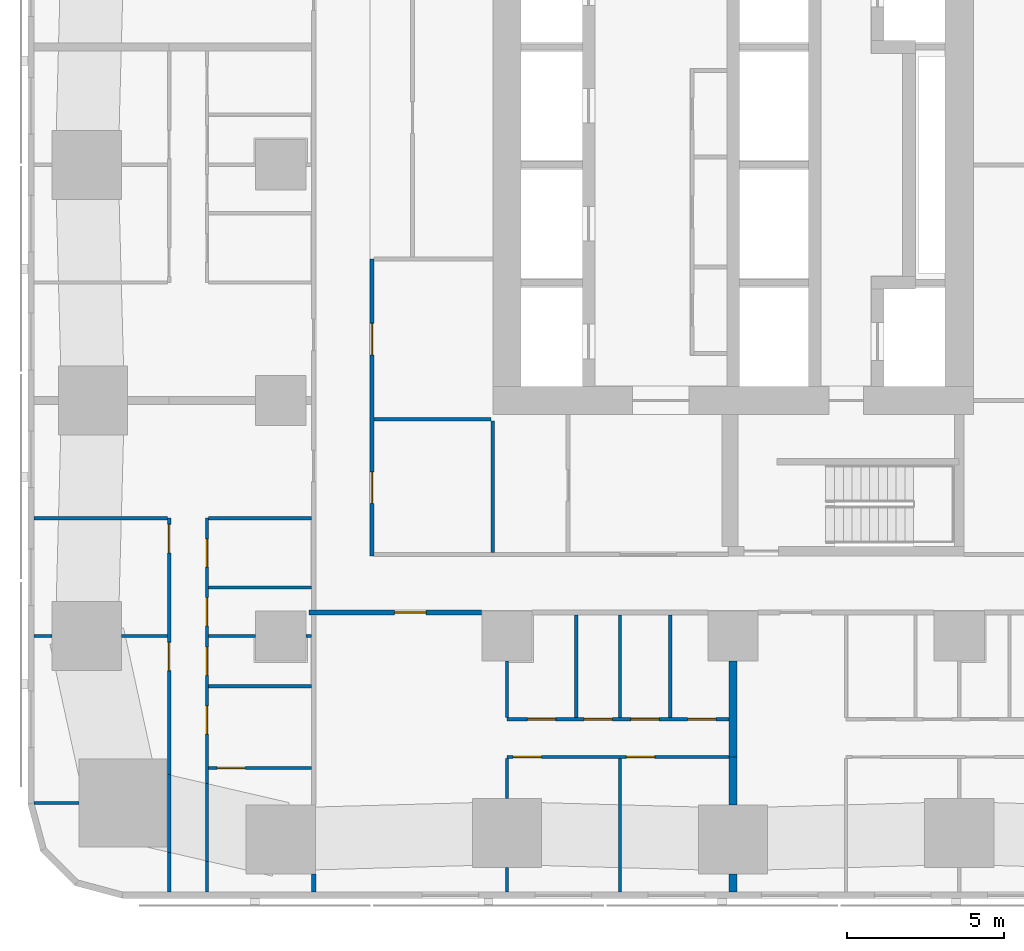
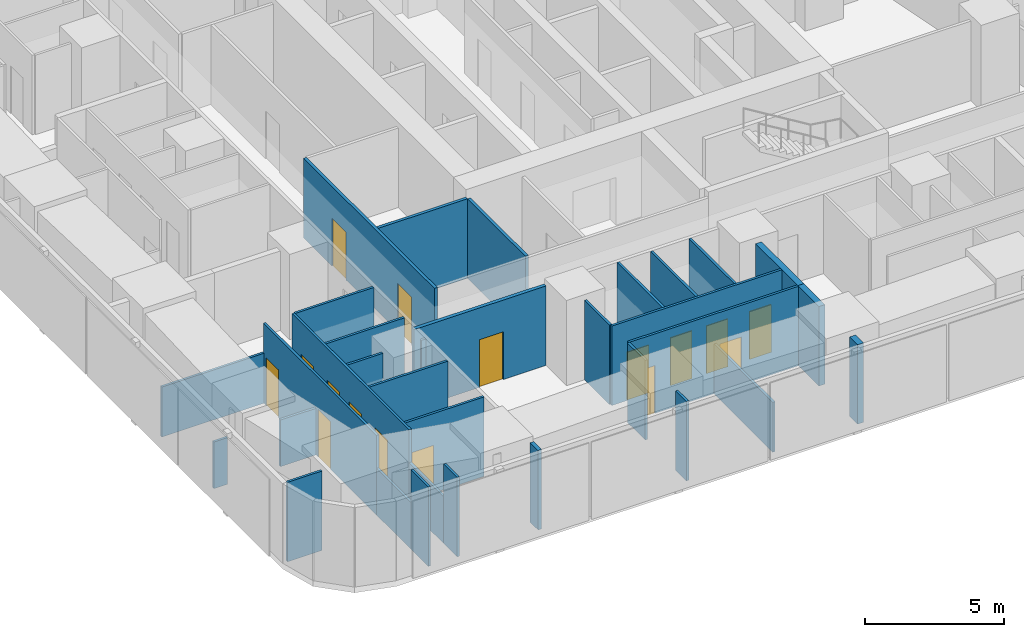
# One storey, part 2 of 15: 33 walls, 16 doors, 16 openings.
"""IFC4 building model written with IfcOpenShell, lengths in metres."""

from ifc_helpers import new_model, si_unit, direction, frame, frame_2d, origin, place, context, subcontext, project, spatial, rectangle, extrude, material, layer, layer_set, type_object, element, fill, save


model = new_model("IFC4")

# Units and contexts
model_context = context("Model", 3, precision=1e-05, world=origin(), true_north=direction((0.0, 1.0)))
body_context = subcontext(model_context, "Body", "Model", "MODEL_VIEW")
ifc_project = project(units=[si_unit("LENGTHUNIT", "METRE"), si_unit("AREAUNIT", "SQUARE_METRE"), si_unit("VOLUMEUNIT", "CUBIC_METRE"), si_unit("PLANEANGLEUNIT", "RADIAN"), si_unit("MASSUNIT", "GRAM", prefix="KILO")], contexts=[model_context])

# Site, building, storey
site_placement = place(None, origin())
site = spatial("IfcSite", under=ifc_project, at=site_placement, CompositionType="ELEMENT")
building_placement = place(site_placement, origin())
building = spatial("IfcBuilding", under=site, at=building_placement, Name="Sheger Commons Tower", CompositionType="ELEMENT")
storey_placement = place(building_placement, frame((0.0, 0.0, 107.89990234375)))
storey = spatial("IfcBuildingStorey", under=building, at=storey_placement, Name="L27", CompositionType="ELEMENT", Elevation=107.89990234375)

# Wall
ifc_material_1 = material(Name="Hollow concrete block masonry, skimmed both sides", Category="masonry")
ifc_layer_1 = layer(ifc_material_1, 0.14990234375)
ifc_layer_set_1 = layer_set([ifc_layer_1], Name="CORRIDOR WALL 150")
wall_type_1 = type_object("IfcWallType", Name="CORRIDOR WALL 150", PredefinedType="SOLIDWALL", material=ifc_layer_set_1)
wall_1_placement = place(storey_placement, frame((8.25, -0.64990234375, 0.0), z_axis=(0.0, 0.0, 1.0), x_axis=(0.0, 1.0, 0.0)))
element("IfcWall", 1, at=wall_1_placement, inside=storey, type_object=wall_type_1, Name="Corridor wall L27", PredefinedType="SOLIDWALL", context=body_context, shape_type="SweptSolid", body=[
    extrude(rectangle(XDim=0.573974609375, YDim=0.14990234375, at=frame_2d((0.287109375, 0.0))), origin(), (0.0, 0.0, 1.0), 3.5),
])

# Wall, opening, door
wall_2_placement = place(storey_placement, frame((13.59912109375, 8.25, 0.0), z_axis=(0.0, 0.0, 1.0), x_axis=(-1.0, 0.0, 0.0)))
wall_2 = element("IfcWall", 2, at=wall_2_placement, inside=storey, type_object=wall_type_1, Name="Corridor wall L27", PredefinedType="SOLIDWALL", context=body_context, shape_type="SweptSolid", body=[
    extrude(rectangle(XDim=5.4990234375, YDim=0.14990234375, at=frame_2d((2.74951171875, 0.0))), origin(), (0.0, 0.0, 1.0), 3.5),
])
opening_1_placement = place(wall_2_placement, frame((1.77392578125, 0.0, 0.0)))
opening_1 = element("IfcOpeningElement", 3, at=opening_1_placement, cuts=wall_2, Name="Opening D1", PredefinedType="OPENING", context=body_context, shape_type="SweptSolid", body=[
    extrude(rectangle(XDim=1.0, YDim=2.10009765625, at=frame_2d((0.5, 1.050048828125))), frame((0.0, 0.0849609375, 0.0), z_axis=(0.0, -1.0, 0.0), x_axis=(1.0, 0.0, 0.0)), (0.0, 0.0, 1.0), 0.169921875),
])
ifc_material_2 = material(Name="Steel door set, fire rated", Category="steel")
door_type_1 = type_object("IfcDoorType", Name="FLAT ENTRANCE DOOR 1000x2100", OperationType="NOTDEFINED", PredefinedType="DOOR", material=ifc_material_2)
door_1_placement = place(opening_1_placement, origin())
door_1 = element("IfcDoor", 4, at=door_1_placement, inside=storey, type_object=door_type_1, Name="Flat entrance door", OperationType="SINGLE_SWING_RIGHT", OverallHeight=2.10009765625, OverallWidth=1.0, PredefinedType="DOOR", context=body_context, shape_type="SweptSolid", body=[
    extrude(rectangle(XDim=1.0, YDim=2.10009765625, at=frame_2d((0.5, 1.050048828125))), frame((0.0, 0.02490234375, 0.0), z_axis=(0.0, -1.0, 0.0), x_axis=(1.0, 0.0, 0.0)), (0.0, 0.0, 1.0), 0.050048828125),
])
fill(opening_1, door_1)

# Walls
ifc_material_3 = material(Name="Dense concrete block masonry, plastered both sides (separating wall between flats)", Category="masonry")
ifc_layer_2 = layer(ifc_material_3, 0.25)
ifc_layer_set_2 = layer_set([ifc_layer_2], Name="DEMISING WALL 250")
wall_type_2 = type_object("IfcWallType", Name="DEMISING WALL 250", PredefinedType="SOLIDWALL", material=ifc_layer_set_2)
wall_3_placement = place(storey_placement, frame((21.60009765625, -0.64990234375, 0.0), z_axis=(0.0, 0.0, 1.0), x_axis=(0.0, 1.0, 0.0)))
element("IfcWall", 5, at=wall_3_placement, inside=storey, type_object=wall_type_2, Name="Demising wall L27", PredefinedType="SOLIDWALL", context=body_context, shape_type="SweptSolid", body=[
    extrude(rectangle(XDim=0.573974609375, YDim=0.25, at=frame_2d((0.287109375, 0.0))), origin(), (0.0, 0.0, 1.0), 3.5),
])
wall_4_placement = place(storey_placement, frame((21.60009765625, 2.1259765625, 0.0), z_axis=(0.0, 0.0, 1.0), x_axis=(0.0, 1.0, 0.0)))
element("IfcWall", 6, at=wall_4_placement, inside=storey, type_object=wall_type_2, Name="Demising wall L27", PredefinedType="SOLIDWALL", context=body_context, shape_type="SweptSolid", body=[
    extrude(rectangle(XDim=1.52392578125, YDim=0.25, at=frame_2d((0.761962890625, 0.0))), origin(), (0.0, 0.0, 1.0), 3.5),
])
wall_5_placement = place(storey_placement, frame((21.60009765625, 3.64990234375, 0.0), z_axis=(0.0, 0.0, 1.0), x_axis=(0.0, 1.0, 0.0)))
element("IfcWall", 7, at=wall_5_placement, inside=storey, type_object=wall_type_2, Name="Demising wall L27", PredefinedType="SOLIDWALL", context=body_context, shape_type="SweptSolid", body=[
    extrude(rectangle(XDim=3.049072265625, YDim=0.25, at=frame_2d((1.5244140625, 0.0))), origin(), (0.0, 0.0, 1.0), 3.5),
])
ifc_material_4 = material(Name="Gypsum board on steel studs", Category="steel")
ifc_layer_3 = layer(ifc_material_4, 0.10009765625)
ifc_layer_set_3 = layer_set([ifc_layer_3], Name="PARTITION 100")
wall_type_3 = type_object("IfcWallType", Name="PARTITION 100", PredefinedType="PARTITIONING", material=ifc_layer_set_3)
wall_6_placement = place(storey_placement, frame((3.64990234375, -0.64990234375, 0.0), z_axis=(0.0, 0.0, 1.0), x_axis=(0.0, 1.0, 0.0)))
element("IfcWall", 8, at=wall_6_placement, inside=storey, type_object=wall_type_3, Name="Partition L27", PredefinedType="PARTITIONING", context=body_context, shape_type="SweptSolid", body=[
    extrude(rectangle(XDim=1.25390625, YDim=0.10009765625, at=frame_2d((0.626953125, 0.0))), origin(), (0.0, 0.0, 1.0), 3.5),
])
wall_7_placement = place(storey_placement, frame((3.64990234375, 0.60400390625, 0.0), z_axis=(0.0, 0.0, 1.0), x_axis=(0.0, 1.0, 0.0)))
element("IfcWall", 9, at=wall_7_placement, inside=storey, type_object=wall_type_3, Name="Partition L27", PredefinedType="PARTITIONING", context=body_context, shape_type="SweptSolid", body=[
    extrude(rectangle(XDim=2.486083984375, YDim=0.10009765625, at=frame_2d((1.2431640625, 0.0))), origin(), (0.0, 0.0, 1.0), 2.050048828125),
])

# Wall, openings, doors
wall_8_placement = place(storey_placement, frame((3.64990234375, 3.090087890625, 0.0), z_axis=(0.0, 0.0, 1.0), x_axis=(0.0, 1.0, 0.0)))
wall_8 = element("IfcWall", 10, at=wall_8_placement, inside=storey, type_object=wall_type_3, Name="Partition L27", PredefinedType="PARTITIONING", context=body_context, shape_type="SweptSolid", body=[
    extrude(rectangle(XDim=8.159912109375, YDim=0.10009765625, at=frame_2d((4.080078125, 0.0))), origin(), (0.0, 0.0, 1.0), 3.5),
])
opening_2_placement = place(wall_8_placement, frame((7.06005859375, 0.0, 0.0)))
opening_2 = element("IfcOpeningElement", 11, at=opening_2_placement, cuts=wall_8, Name="Opening D2", PredefinedType="OPENING", context=body_context, shape_type="SweptSolid", body=[
    extrude(rectangle(XDim=0.89990234375, YDim=2.10009765625, at=frame_2d((0.449951171875, 1.050048828125))), frame((0.0, 0.06005859375, 0.0), z_axis=(0.0, -1.0, 0.0), x_axis=(1.0, 0.0, 0.0)), (0.0, 0.0, 1.0), 0.1201171875),
])
opening_3_placement = place(wall_8_placement, frame((3.31005859375, 0.0, 0.0)))
opening_3 = element("IfcOpeningElement", 12, at=opening_3_placement, cuts=wall_8, Name="Opening D2", PredefinedType="OPENING", context=body_context, shape_type="SweptSolid", body=[
    extrude(rectangle(XDim=0.89990234375, YDim=2.10009765625, at=frame_2d((0.449951171875, 1.050048828125))), frame((0.0, 0.06005859375, 0.0), z_axis=(0.0, -1.0, 0.0), x_axis=(1.0, 0.0, 0.0)), (0.0, 0.0, 1.0), 0.1201171875),
])
ifc_material_5 = material(Name="Timber door set", Category="wood")
door_type_2 = type_object("IfcDoorType", Name="INTERNAL DOOR 900x2100", OperationType="NOTDEFINED", PredefinedType="DOOR", material=ifc_material_5)
door_2_placement = place(opening_2_placement, origin())
door_2 = element("IfcDoor", 13, at=door_2_placement, inside=storey, type_object=door_type_2, Name="Main bedroom door", OperationType="SINGLE_SWING_RIGHT", OverallHeight=2.10009765625, OverallWidth=0.89990234375, PredefinedType="DOOR", context=body_context, shape_type="SweptSolid", body=[
    extrude(rectangle(XDim=0.89990234375, YDim=2.10009765625, at=frame_2d((0.449951171875, 1.050048828125))), frame((0.0, 0.02490234375, 0.0), z_axis=(0.0, -1.0, 0.0), x_axis=(1.0, 0.0, 0.0)), (0.0, 0.0, 1.0), 0.050048828125),
])
fill(opening_2, door_2)
door_3_placement = place(opening_3_placement, origin())
door_3 = element("IfcDoor", 14, at=door_3_placement, inside=storey, type_object=door_type_2, Name="Bedroom 2 door", OperationType="SINGLE_SWING_RIGHT", OverallHeight=2.10009765625, OverallWidth=0.89990234375, PredefinedType="DOOR", context=body_context, shape_type="SweptSolid", body=[
    extrude(rectangle(XDim=0.89990234375, YDim=2.10009765625, at=frame_2d((0.449951171875, 1.050048828125))), frame((0.0, 0.02490234375, 0.0), z_axis=(0.0, -1.0, 0.0), x_axis=(1.0, 0.0, 0.0)), (0.0, 0.0, 1.0), 0.050048828125),
])
fill(opening_3, door_3)

# Walls
wall_9_placement = place(storey_placement, frame((4.85009765625, -0.64990234375, 0.0), z_axis=(0.0, 0.0, 1.0), x_axis=(0.0, 1.0, 0.0)))
element("IfcWall", 15, at=wall_9_placement, inside=storey, type_object=wall_type_3, Name="Partition L27", PredefinedType="PARTITIONING", context=body_context, shape_type="SweptSolid", body=[
    extrude(rectangle(XDim=0.975830078125, YDim=0.10009765625, at=frame_2d((0.48779296875, 0.0))), origin(), (0.0, 0.0, 1.0), 3.5),
])
wall_10_placement = place(storey_placement, frame((4.85009765625, 0.325927734375, 0.0), z_axis=(0.0, 0.0, 1.0), x_axis=(0.0, 1.0, 0.0)))
element("IfcWall", 16, at=wall_10_placement, inside=storey, type_object=wall_type_3, Name="Partition L27", PredefinedType="PARTITIONING", context=body_context, shape_type="SweptSolid", body=[
    extrude(rectangle(XDim=2.486083984375, YDim=0.10009765625, at=frame_2d((1.2431640625, 0.0))), origin(), (0.0, 0.0, 1.0), 2.050048828125),
])

# Wall, openings, doors
wall_11_placement = place(storey_placement, frame((4.85009765625, 2.81201171875, 0.0), z_axis=(0.0, 0.0, 1.0), x_axis=(0.0, 1.0, 0.0)))
wall_11 = element("IfcWall", 17, at=wall_11_placement, inside=storey, type_object=wall_type_3, Name="Partition L27", PredefinedType="PARTITIONING", context=body_context, shape_type="SweptSolid", body=[
    extrude(rectangle(XDim=8.43798828125, YDim=0.10009765625, at=frame_2d((4.218994140625, 0.0))), origin(), (0.0, 0.0, 1.0), 3.5),
])
opening_4_placement = place(wall_11_placement, frame((6.883056640625, 0.0, 0.0)))
opening_4 = element("IfcOpeningElement", 18, at=opening_4_placement, cuts=wall_11, Name="Opening D2", PredefinedType="OPENING", context=body_context, shape_type="SweptSolid", body=[
    extrude(rectangle(XDim=0.89990234375, YDim=2.10009765625, at=frame_2d((0.449951171875, 1.050048828125))), frame((0.0, 0.06005859375, 0.0), z_axis=(0.0, -1.0, 0.0), x_axis=(1.0, 0.0, 0.0)), (0.0, 0.0, 1.0), 0.1201171875),
])
opening_5_placement = place(wall_11_placement, frame((3.43798828125, 0.0, 0.0)))
opening_5 = element("IfcOpeningElement", 19, at=opening_5_placement, cuts=wall_11, Name="Opening D2", PredefinedType="OPENING", context=body_context, shape_type="SweptSolid", body=[
    extrude(rectangle(XDim=0.89990234375, YDim=2.10009765625, at=frame_2d((0.449951171875, 1.050048828125))), frame((0.0, 0.06005859375, 0.0), z_axis=(0.0, -1.0, 0.0), x_axis=(1.0, 0.0, 0.0)), (0.0, 0.0, 1.0), 0.1201171875),
])
opening_6_placement = place(wall_11_placement, frame((5.008056640625, 0.0, 0.0)))
opening_6 = element("IfcOpeningElement", 20, at=opening_6_placement, cuts=wall_11, Name="Opening D2", PredefinedType="OPENING", context=body_context, shape_type="SweptSolid", body=[
    extrude(rectangle(XDim=0.89990234375, YDim=2.10009765625, at=frame_2d((0.449951171875, 1.050048828125))), frame((0.0, 0.06005859375, 0.0), z_axis=(0.0, -1.0, 0.0), x_axis=(1.0, 0.0, 0.0)), (0.0, 0.0, 1.0), 0.1201171875),
])
opening_7_placement = place(wall_11_placement, frame((1.56298828125, 0.0, 0.0)))
opening_7 = element("IfcOpeningElement", 21, at=opening_7_placement, cuts=wall_11, Name="Opening D2", PredefinedType="OPENING", context=body_context, shape_type="SweptSolid", body=[
    extrude(rectangle(XDim=0.89990234375, YDim=2.10009765625, at=frame_2d((0.449951171875, 1.050048828125))), frame((0.0, 0.06005859375, 0.0), z_axis=(0.0, -1.0, 0.0), x_axis=(1.0, 0.0, 0.0)), (0.0, 0.0, 1.0), 0.1201171875),
])
door_4_placement = place(opening_4_placement, origin())
door_4 = element("IfcDoor", 22, at=door_4_placement, inside=storey, type_object=door_type_2, Name="Bathroom door", OperationType="SINGLE_SWING_LEFT", OverallHeight=2.10009765625, OverallWidth=0.89990234375, PredefinedType="DOOR", context=body_context, shape_type="SweptSolid", body=[
    extrude(rectangle(XDim=0.89990234375, YDim=2.10009765625, at=frame_2d((0.449951171875, 1.050048828125))), frame((0.0, 0.02490234375, 0.0), z_axis=(0.0, -1.0, 0.0), x_axis=(1.0, 0.0, 0.0)), (0.0, 0.0, 1.0), 0.050048828125),
])
fill(opening_4, door_4)
door_5_placement = place(opening_5_placement, origin())
door_5 = element("IfcDoor", 23, at=door_5_placement, inside=storey, type_object=door_type_2, Name="Shower room door", OperationType="SINGLE_SWING_RIGHT", OverallHeight=2.10009765625, OverallWidth=0.89990234375, PredefinedType="DOOR", context=body_context, shape_type="SweptSolid", body=[
    extrude(rectangle(XDim=0.89990234375, YDim=2.10009765625, at=frame_2d((0.449951171875, 1.050048828125))), frame((0.0, 0.02490234375, 0.0), z_axis=(0.0, -1.0, 0.0), x_axis=(1.0, 0.0, 0.0)), (0.0, 0.0, 1.0), 0.050048828125),
])
fill(opening_5, door_5)
door_6_placement = place(opening_6_placement, origin())
door_6 = element("IfcDoor", 24, at=door_6_placement, inside=storey, type_object=door_type_2, Name="Store door", OperationType="SINGLE_SWING_LEFT", OverallHeight=2.10009765625, OverallWidth=0.89990234375, PredefinedType="DOOR", context=body_context, shape_type="SweptSolid", body=[
    extrude(rectangle(XDim=0.89990234375, YDim=2.10009765625, at=frame_2d((0.449951171875, 1.050048828125))), frame((0.0, 0.02490234375, 0.0), z_axis=(0.0, -1.0, 0.0), x_axis=(1.0, 0.0, 0.0)), (0.0, 0.0, 1.0), 0.050048828125),
])
fill(opening_6, door_6)
door_7_placement = place(opening_7_placement, origin())
door_7 = element("IfcDoor", 25, at=door_7_placement, inside=storey, type_object=door_type_2, Name="Store door", OperationType="SINGLE_SWING_LEFT", OverallHeight=2.10009765625, OverallWidth=0.89990234375, PredefinedType="DOOR", context=body_context, shape_type="SweptSolid", body=[
    extrude(rectangle(XDim=0.89990234375, YDim=2.10009765625, at=frame_2d((0.449951171875, 1.050048828125))), frame((0.0, 0.02490234375, 0.0), z_axis=(0.0, -1.0, 0.0), x_axis=(1.0, 0.0, 0.0)), (0.0, 0.0, 1.0), 0.050048828125),
])
fill(opening_7, door_7)

# Walls
wall_12_placement = place(storey_placement, frame((-0.64990234375, 2.18603515625, 0.0), z_axis=(0.0, 0.0, 1.0), x_axis=(1.0, 0.0, 0.0)))
element("IfcWall", 26, at=wall_12_placement, inside=storey, type_object=wall_type_3, Name="Partition L27", PredefinedType="PARTITIONING", context=body_context, shape_type="SweptSolid", body=[
    extrude(rectangle(XDim=1.434814453125, YDim=0.10009765625, at=frame_2d((0.71728515625, 0.0))), origin(), (0.0, 0.0, 1.0), 3.5),
])
wall_13_placement = place(storey_placement, frame((-0.64990234375, 7.5, 0.0), z_axis=(0.0, 0.0, 1.0), x_axis=(1.0, 0.0, 0.0)))
element("IfcWall", 27, at=wall_13_placement, inside=storey, type_object=wall_type_3, Name="Partition L27", PredefinedType="PARTITIONING", context=body_context, shape_type="SweptSolid", body=[
    extrude(rectangle(XDim=0.573974609375, YDim=0.10009765625, at=frame_2d((0.287109375, 0.0))), origin(), (0.0, 0.0, 1.0), 2.050048828125),
])
wall_14_placement = place(storey_placement, frame((2.1259765625, 7.5, 0.0), z_axis=(0.0, 0.0, 1.0), x_axis=(1.0, 0.0, 0.0)))
element("IfcWall", 28, at=wall_14_placement, inside=storey, type_object=wall_type_3, Name="Partition L27", PredefinedType="PARTITIONING", context=body_context, shape_type="SweptSolid", body=[
    extrude(rectangle(XDim=1.47412109375, YDim=0.10009765625, at=frame_2d((0.737060546875, 0.0))), origin(), (0.0, 0.0, 1.0), 2.050048828125),
])
wall_15_placement = place(storey_placement, frame((-0.64990234375, 11.25, 0.0), z_axis=(0.0, 0.0, 1.0), x_axis=(1.0, 0.0, 0.0)))
element("IfcWall", 29, at=wall_15_placement, inside=storey, type_object=wall_type_3, Name="Partition L27", PredefinedType="PARTITIONING", context=body_context, shape_type="SweptSolid", body=[
    extrude(rectangle(XDim=4.25, YDim=0.10009765625, at=frame_2d((2.125, 0.0))), origin(), (0.0, 0.0, 1.0), 2.2001953125),
])
wall_16_placement = place(storey_placement, frame((4.89990234375, 7.5, 0.0), z_axis=(0.0, 0.0, 1.0), x_axis=(1.0, 0.0, 0.0)))
element("IfcWall", 30, at=wall_16_placement, inside=storey, type_object=wall_type_3, Name="Partition L27", PredefinedType="PARTITIONING", context=body_context, shape_type="SweptSolid", body=[
    extrude(rectangle(XDim=1.4990234375, YDim=0.10009765625, at=frame_2d((0.74951171875, 0.0))), origin(), (0.0, 0.0, 1.0), 3.5),
])
wall_17_placement = place(storey_placement, frame((8.0009765625, 7.5, 0.0), z_axis=(0.0, 0.0, 1.0), x_axis=(1.0, 0.0, 0.0)))
element("IfcWall", 31, at=wall_17_placement, inside=storey, type_object=wall_type_3, Name="Partition L27", PredefinedType="PARTITIONING", context=body_context, shape_type="SweptSolid", body=[
    extrude(rectangle(XDim=0.174072265625, YDim=0.10009765625, at=frame_2d((0.0869140625, 0.0))), origin(), (0.0, 0.0, 1.0), 3.5),
])
for number, where, z_axis, x_axis, name in (
    (32, (4.89990234375, 11.25, 0.0), (0.0, 0.0, 1.0), (1.0, 0.0, 0.0), "Partition L27"),
    (33, (4.89990234375, 9.0400390625, 0.0), (0.0, 0.0, 1.0), (1.0, 0.0, 0.0), "Partition L27"),
    (34, (4.89990234375, 5.89990234375, 0.0), (0.0, 0.0, 1.0), (1.0, 0.0, 0.0), "Partition L27"),
):
    element("IfcWall", number, at=place(storey_placement, frame(where, z_axis=z_axis, x_axis=x_axis)), inside=storey, type_object=wall_type_3, Name=name, PredefinedType="PARTITIONING", context=body_context, shape_type="SweptSolid", body=[
        extrude(rectangle(XDim=3.275146484375, YDim=0.10009765625, at=frame_2d((1.6376953125, 0.0))), origin(), (0.0, 0.0, 1.0), 3.5),
    ])

# Wall, openings, doors
wall_18_placement = place(storey_placement, frame((21.47509765625, 3.64990234375, 0.0), z_axis=(0.0, 0.0, 1.0), x_axis=(-1.0, 0.0, 0.0)))
wall_18 = element("IfcWall", 35, at=wall_18_placement, inside=storey, type_object=wall_type_3, Name="Partition L27", PredefinedType="PARTITIONING", context=body_context, shape_type="SweptSolid", body=[
    extrude(rectangle(XDim=7.0751953125, YDim=0.10009765625, at=frame_2d((3.53759765625, 0.0))), origin(), (0.0, 0.0, 1.0), 3.5),
])
opening_8_placement = place(wall_18_placement, frame((5.97509765625, 0.0, 0.0)))
opening_8 = element("IfcOpeningElement", 36, at=opening_8_placement, cuts=wall_18, Name="Opening D2", PredefinedType="OPENING", context=body_context, shape_type="SweptSolid", body=[
    extrude(rectangle(XDim=0.89990234375, YDim=2.10009765625, at=frame_2d((0.449951171875, 1.050048828125))), frame((0.0, 0.06005859375, 0.0), z_axis=(0.0, -1.0, 0.0), x_axis=(1.0, 0.0, 0.0)), (0.0, 0.0, 1.0), 0.1201171875),
])
opening_9_placement = place(wall_18_placement, frame((2.375, 0.0, 0.0)))
opening_9 = element("IfcOpeningElement", 37, at=opening_9_placement, cuts=wall_18, Name="Opening D2", PredefinedType="OPENING", context=body_context, shape_type="SweptSolid", body=[
    extrude(rectangle(XDim=0.89990234375, YDim=2.10009765625, at=frame_2d((0.449951171875, 1.050048828125))), frame((0.0, 0.06005859375, 0.0), z_axis=(0.0, -1.0, 0.0), x_axis=(1.0, 0.0, 0.0)), (0.0, 0.0, 1.0), 0.1201171875),
])
door_8_placement = place(opening_8_placement, origin())
door_8 = element("IfcDoor", 38, at=door_8_placement, inside=storey, type_object=door_type_2, Name="Main bedroom door", OperationType="SINGLE_SWING_RIGHT", OverallHeight=2.10009765625, OverallWidth=0.89990234375, PredefinedType="DOOR", context=body_context, shape_type="SweptSolid", body=[
    extrude(rectangle(XDim=0.89990234375, YDim=2.10009765625, at=frame_2d((0.449951171875, 1.050048828125))), frame((0.0, 0.02490234375, 0.0), z_axis=(0.0, -1.0, 0.0), x_axis=(1.0, 0.0, 0.0)), (0.0, 0.0, 1.0), 0.050048828125),
])
fill(opening_8, door_8)
door_9_placement = place(opening_9_placement, origin())
door_9 = element("IfcDoor", 39, at=door_9_placement, inside=storey, type_object=door_type_2, Name="Bedroom 2 door", OperationType="SINGLE_SWING_RIGHT", OverallHeight=2.10009765625, OverallWidth=0.89990234375, PredefinedType="DOOR", context=body_context, shape_type="SweptSolid", body=[
    extrude(rectangle(XDim=0.89990234375, YDim=2.10009765625, at=frame_2d((0.449951171875, 1.050048828125))), frame((0.0, 0.02490234375, 0.0), z_axis=(0.0, -1.0, 0.0), x_axis=(1.0, 0.0, 0.0)), (0.0, 0.0, 1.0), 0.050048828125),
])
fill(opening_9, door_9)

wall_19_placement = place(storey_placement, frame((21.47509765625, 4.85009765625, 0.0), z_axis=(0.0, 0.0, 1.0), x_axis=(-1.0, 0.0, 0.0)))
wall_19 = element("IfcWall", 40, at=wall_19_placement, inside=storey, type_object=wall_type_3, Name="Partition L27", PredefinedType="PARTITIONING", context=body_context, shape_type="SweptSolid", body=[
    extrude(rectangle(XDim=7.0751953125, YDim=0.10009765625, at=frame_2d((3.53759765625, 0.0))), origin(), (0.0, 0.0, 1.0), 3.5),
])
opening_10_placement = place(wall_19_placement, frame((5.52001953125, 0.0, 0.0)))
opening_10 = element("IfcOpeningElement", 41, at=opening_10_placement, cuts=wall_19, Name="Opening D2", PredefinedType="OPENING", context=body_context, shape_type="SweptSolid", body=[
    extrude(rectangle(XDim=0.89990234375, YDim=2.10009765625, at=frame_2d((0.449951171875, 1.050048828125))), frame((0.0, 0.06005859375, 0.0), z_axis=(0.0, -1.0, 0.0), x_axis=(1.0, 0.0, 0.0)), (0.0, 0.0, 1.0), 0.1201171875),
])
opening_11_placement = place(wall_19_placement, frame((2.22509765625, 0.0, 0.0)))
opening_11 = element("IfcOpeningElement", 42, at=opening_11_placement, cuts=wall_19, Name="Opening D2", PredefinedType="OPENING", context=body_context, shape_type="SweptSolid", body=[
    extrude(rectangle(XDim=0.89990234375, YDim=2.10009765625, at=frame_2d((0.449951171875, 1.050048828125))), frame((0.0, 0.06005859375, 0.0), z_axis=(0.0, -1.0, 0.0), x_axis=(1.0, 0.0, 0.0)), (0.0, 0.0, 1.0), 0.1201171875),
])
opening_12_placement = place(wall_19_placement, frame((3.719970703125, 0.0, 0.0)))
opening_12 = element("IfcOpeningElement", 43, at=opening_12_placement, cuts=wall_19, Name="Opening D2", PredefinedType="OPENING", context=body_context, shape_type="SweptSolid", body=[
    extrude(rectangle(XDim=0.89990234375, YDim=2.10009765625, at=frame_2d((0.449951171875, 1.050048828125))), frame((0.0, 0.06005859375, 0.0), z_axis=(0.0, -1.0, 0.0), x_axis=(1.0, 0.0, 0.0)), (0.0, 0.0, 1.0), 0.1201171875),
])
opening_13_placement = place(wall_19_placement, frame((0.425048828125, 0.0, 0.0)))
opening_13 = element("IfcOpeningElement", 44, at=opening_13_placement, cuts=wall_19, Name="Opening D2", PredefinedType="OPENING", context=body_context, shape_type="SweptSolid", body=[
    extrude(rectangle(XDim=0.89990234375, YDim=2.10009765625, at=frame_2d((0.449951171875, 1.050048828125))), frame((0.0, 0.06005859375, 0.0), z_axis=(0.0, -1.0, 0.0), x_axis=(1.0, 0.0, 0.0)), (0.0, 0.0, 1.0), 0.1201171875),
])
door_10_placement = place(opening_10_placement, origin())
door_10 = element("IfcDoor", 45, at=door_10_placement, inside=storey, type_object=door_type_2, Name="Bathroom door", OperationType="SINGLE_SWING_LEFT", OverallHeight=2.10009765625, OverallWidth=0.89990234375, PredefinedType="DOOR", context=body_context, shape_type="SweptSolid", body=[
    extrude(rectangle(XDim=0.89990234375, YDim=2.10009765625, at=frame_2d((0.449951171875, 1.050048828125))), frame((0.0, 0.02490234375, 0.0), z_axis=(0.0, -1.0, 0.0), x_axis=(1.0, 0.0, 0.0)), (0.0, 0.0, 1.0), 0.050048828125),
])
fill(opening_10, door_10)
door_11_placement = place(opening_11_placement, origin())
door_11 = element("IfcDoor", 46, at=door_11_placement, inside=storey, type_object=door_type_2, Name="Shower room door", OperationType="SINGLE_SWING_LEFT", OverallHeight=2.10009765625, OverallWidth=0.89990234375, PredefinedType="DOOR", context=body_context, shape_type="SweptSolid", body=[
    extrude(rectangle(XDim=0.89990234375, YDim=2.10009765625, at=frame_2d((0.449951171875, 1.050048828125))), frame((0.0, 0.02490234375, 0.0), z_axis=(0.0, -1.0, 0.0), x_axis=(1.0, 0.0, 0.0)), (0.0, 0.0, 1.0), 0.050048828125),
])
fill(opening_11, door_11)
door_12_placement = place(opening_12_placement, origin())
door_12 = element("IfcDoor", 47, at=door_12_placement, inside=storey, type_object=door_type_2, Name="Store door", OperationType="SINGLE_SWING_LEFT", OverallHeight=2.10009765625, OverallWidth=0.89990234375, PredefinedType="DOOR", context=body_context, shape_type="SweptSolid", body=[
    extrude(rectangle(XDim=0.89990234375, YDim=2.10009765625, at=frame_2d((0.449951171875, 1.050048828125))), frame((0.0, 0.02490234375, 0.0), z_axis=(0.0, -1.0, 0.0), x_axis=(1.0, 0.0, 0.0)), (0.0, 0.0, 1.0), 0.050048828125),
])
fill(opening_12, door_12)
door_13_placement = place(opening_13_placement, origin())
door_13 = element("IfcDoor", 48, at=door_13_placement, inside=storey, type_object=door_type_2, Name="Store door", OperationType="SINGLE_SWING_RIGHT", OverallHeight=2.10009765625, OverallWidth=0.89990234375, PredefinedType="DOOR", context=body_context, shape_type="SweptSolid", body=[
    extrude(rectangle(XDim=0.89990234375, YDim=2.10009765625, at=frame_2d((0.449951171875, 1.050048828125))), frame((0.0, 0.02490234375, 0.0), z_axis=(0.0, -1.0, 0.0), x_axis=(1.0, 0.0, 0.0)), (0.0, 0.0, 1.0), 0.050048828125),
])
fill(opening_13, door_13)

# Walls
wall_20_placement = place(storey_placement, frame((14.39990234375, -0.64990234375, 0.0), z_axis=(0.0, 0.0, 1.0), x_axis=(0.0, 1.0, 0.0)))
element("IfcWall", 49, at=wall_20_placement, inside=storey, type_object=wall_type_3, Name="Partition L27", PredefinedType="PARTITIONING", context=body_context, shape_type="SweptSolid", body=[
    extrude(rectangle(XDim=0.77392578125, YDim=0.10009765625, at=frame_2d((0.386962890625, 0.0))), origin(), (0.0, 0.0, 1.0), 3.5),
])
wall_21_placement = place(storey_placement, frame((14.39990234375, 2.325927734375, 0.0), z_axis=(0.0, 0.0, 1.0), x_axis=(0.0, 1.0, 0.0)))
element("IfcWall", 50, at=wall_21_placement, inside=storey, type_object=wall_type_3, Name="Partition L27", PredefinedType="PARTITIONING", context=body_context, shape_type="SweptSolid", body=[
    extrude(rectangle(XDim=1.274169921875, YDim=0.10009765625, at=frame_2d((0.63720703125, 0.0))), origin(), (0.0, 0.0, 1.0), 3.5),
])
wall_22_placement = place(storey_placement, frame((18.0, -0.64990234375, 0.0), z_axis=(0.0, 0.0, 1.0), x_axis=(0.0, 1.0, 0.0)))
element("IfcWall", 51, at=wall_22_placement, inside=storey, type_object=wall_type_3, Name="Partition L27", PredefinedType="PARTITIONING", context=body_context, shape_type="SweptSolid", body=[
    extrude(rectangle(XDim=4.25, YDim=0.10009765625, at=frame_2d((2.125, 0.0))), origin(), (0.0, 0.0, 1.0), 2.2001953125),
])
wall_23_placement = place(storey_placement, frame((14.39990234375, 4.89990234375, 0.0), z_axis=(0.0, 0.0, 1.0), x_axis=(0.0, 1.0, 0.0)))
element("IfcWall", 52, at=wall_23_placement, inside=storey, type_object=wall_type_3, Name="Partition L27", PredefinedType="PARTITIONING", context=body_context, shape_type="SweptSolid", body=[
    extrude(rectangle(XDim=1.799072265625, YDim=0.10009765625, at=frame_2d((0.8994140625, 0.0))), origin(), (0.0, 0.0, 1.0), 3.5),
])
for number, where, z_axis, x_axis, name in (
    (53, (18.0, 4.89990234375, 0.0), (0.0, 0.0, 1.0), (0.0, 1.0, 0.0), "Partition L27"),
    (54, (16.610107421875, 4.89990234375, 0.0), (0.0, 0.0, 1.0), (0.0, 1.0, 0.0), "Partition L27"),
    (55, (19.60009765625, 4.89990234375, 0.0), (0.0, 0.0, 1.0), (0.0, 1.0, 0.0), "Partition L27"),
):
    element("IfcWall", number, at=place(storey_placement, frame(where, z_axis=z_axis, x_axis=x_axis)), inside=storey, type_object=wall_type_3, Name=name, PredefinedType="PARTITIONING", context=body_context, shape_type="SweptSolid", body=[
        extrude(rectangle(XDim=3.275146484375, YDim=0.10009765625, at=frame_2d((1.6376953125, 0.0))), origin(), (0.0, 0.0, 1.0), 3.5),
    ])

# Wall, opening, door
wall_24_placement = place(storey_placement, frame((8.175048828125, 3.300048828125, 0.0), z_axis=(0.0, 0.0, 1.0), x_axis=(-1.0, 0.0, 0.0)))
wall_24 = element("IfcWall", 56, at=wall_24_placement, inside=storey, type_object=wall_type_3, Name="Partition L27", PredefinedType="PARTITIONING", context=body_context, shape_type="SweptSolid", body=[
    extrude(rectangle(XDim=3.275146484375, YDim=0.10009765625, at=frame_2d((1.6376953125, 0.0))), origin(), (0.0, 0.0, 1.0), 3.5),
])
opening_14_placement = place(wall_24_placement, frame((2.10009765625, 0.0, 0.0)))
opening_14 = element("IfcOpeningElement", 57, at=opening_14_placement, cuts=wall_24, Name="Opening D2", PredefinedType="OPENING", context=body_context, shape_type="SweptSolid", body=[
    extrude(rectangle(XDim=0.89990234375, YDim=2.10009765625, at=frame_2d((0.449951171875, 1.050048828125))), frame((0.0, 0.06005859375, 0.0), z_axis=(0.0, -1.0, 0.0), x_axis=(1.0, 0.0, 0.0)), (0.0, 0.0, 1.0), 0.1201171875),
])
door_14_placement = place(opening_14_placement, origin())
door_14 = element("IfcDoor", 58, at=door_14_placement, inside=storey, type_object=door_type_2, Name="Store door", OperationType="SINGLE_SWING_LEFT", OverallHeight=2.10009765625, OverallWidth=0.89990234375, PredefinedType="DOOR", context=body_context, shape_type="SweptSolid", body=[
    extrude(rectangle(XDim=0.89990234375, YDim=2.10009765625, at=frame_2d((0.449951171875, 1.050048828125))), frame((0.0, 0.02490234375, 0.0), z_axis=(0.0, -1.0, 0.0), x_axis=(1.0, 0.0, 0.0)), (0.0, 0.0, 1.0), 0.050048828125),
])
fill(opening_14, door_14)

# Wall, openings, doors
ifc_material_6 = material(Name="Gypsum board on steel studs, two layers each side, fire rated", Category="steel")
ifc_layer_4 = layer(ifc_material_6, 0.125)
ifc_layer_set_4 = layer_set([ifc_layer_4], Name="SERVICE WALL 125")
wall_type_4 = type_object("IfcWallType", Name="SERVICE WALL 125", PredefinedType="PARTITIONING", material=ifc_layer_set_4)
wall_25_placement = place(storey_placement, frame((10.10009765625, 10.050048828125, 0.0), z_axis=(0.0, 0.0, 1.0), x_axis=(0.0, 1.0, 0.0)))
wall_25 = element("IfcWall", 59, at=wall_25_placement, inside=storey, type_object=wall_type_4, Name="Service room wall L27", PredefinedType="PARTITIONING", context=body_context, shape_type="SweptSolid", body=[
    extrude(rectangle(XDim=9.449951171875, YDim=0.125, at=frame_2d((4.72509765625, 0.0))), origin(), (0.0, 0.0, 1.0), 3.5),
])
opening_15_placement = place(wall_25_placement, frame((1.675048828125, 0.0, 0.0)))
opening_15 = element("IfcOpeningElement", 60, at=opening_15_placement, cuts=wall_25, Name="Opening D4", PredefinedType="OPENING", context=body_context, shape_type="SweptSolid", body=[
    extrude(rectangle(XDim=1.0, YDim=2.10009765625, at=frame_2d((0.5, 1.050048828125))), frame((0.0, 0.072509765625, 0.0), z_axis=(0.0, -1.0, 0.0), x_axis=(1.0, 0.0, 0.0)), (0.0, 0.0, 1.0), 0.14501953125),
])
opening_16_placement = place(wall_25_placement, frame((6.39990234375, 0.0, 0.0)))
opening_16 = element("IfcOpeningElement", 61, at=opening_16_placement, cuts=wall_25, Name="Opening D4", PredefinedType="OPENING", context=body_context, shape_type="SweptSolid", body=[
    extrude(rectangle(XDim=1.0, YDim=2.10009765625, at=frame_2d((0.5, 1.050048828125))), frame((0.0, 0.072509765625, 0.0), z_axis=(0.0, -1.0, 0.0), x_axis=(1.0, 0.0, 0.0)), (0.0, 0.0, 1.0), 0.14501953125),
])
ifc_material_7 = material(Name="Steel door set, fire rated", Category="steel")
door_type_3 = type_object("IfcDoorType", Name="SERVICE DOOR 1000x2100", OperationType="NOTDEFINED", PredefinedType="DOOR", material=ifc_material_7)
door_15_placement = place(opening_15_placement, origin())
door_15 = element("IfcDoor", 62, at=door_15_placement, inside=storey, type_object=door_type_3, Name="Refuse chute room door", OperationType="SINGLE_SWING_RIGHT", OverallHeight=2.10009765625, OverallWidth=1.0, PredefinedType="DOOR", context=body_context, shape_type="SweptSolid", body=[
    extrude(rectangle(XDim=1.0, YDim=2.10009765625, at=frame_2d((0.5, 1.050048828125))), frame((0.0, 0.02490234375, 0.0), z_axis=(0.0, -1.0, 0.0), x_axis=(1.0, 0.0, 0.0)), (0.0, 0.0, 1.0), 0.050048828125),
])
fill(opening_15, door_15)
door_16_placement = place(opening_16_placement, origin())
door_16 = element("IfcDoor", 63, at=door_16_placement, inside=storey, type_object=door_type_3, Name="Caretaker's store door", OperationType="SINGLE_SWING_LEFT", OverallHeight=2.10009765625, OverallWidth=1.0, PredefinedType="DOOR", context=body_context, shape_type="SweptSolid", body=[
    extrude(rectangle(XDim=1.0, YDim=2.10009765625, at=frame_2d((0.5, 1.050048828125))), frame((0.0, 0.02490234375, 0.0), z_axis=(0.0, -1.0, 0.0), x_axis=(1.0, 0.0, 0.0)), (0.0, 0.0, 1.0), 0.050048828125),
])
fill(opening_16, door_16)

# Walls
wall_26_placement = place(storey_placement, frame((10.1630859375, 14.39990234375, 0.0), z_axis=(0.0, 0.0, 1.0), x_axis=(1.0, 0.0, 0.0)))
element("IfcWall", 64, at=wall_26_placement, inside=storey, type_object=wall_type_4, Name="Service room wall L27", PredefinedType="PARTITIONING", context=body_context, shape_type="SweptSolid", body=[
    extrude(rectangle(XDim=3.724853515625, YDim=0.125, at=frame_2d((1.8623046875, 0.0))), origin(), (0.0, 0.0, 1.0), 3.5),
])
wall_27_placement = place(storey_placement, frame((13.949951171875, 10.1630859375, 0.0), z_axis=(0.0, 0.0, 1.0), x_axis=(0.0, 1.0, 0.0)))
element("IfcWall", 65, at=wall_27_placement, inside=storey, type_object=wall_type_4, Name="Service room wall L27", PredefinedType="PARTITIONING", context=body_context, shape_type="SweptSolid", body=[
    extrude(rectangle(XDim=4.1748046875, YDim=0.125, at=frame_2d((2.08740234375, 0.0))), origin(), (0.0, 0.0, 1.0), 3.5),
])

save(model, "model.ifc")
